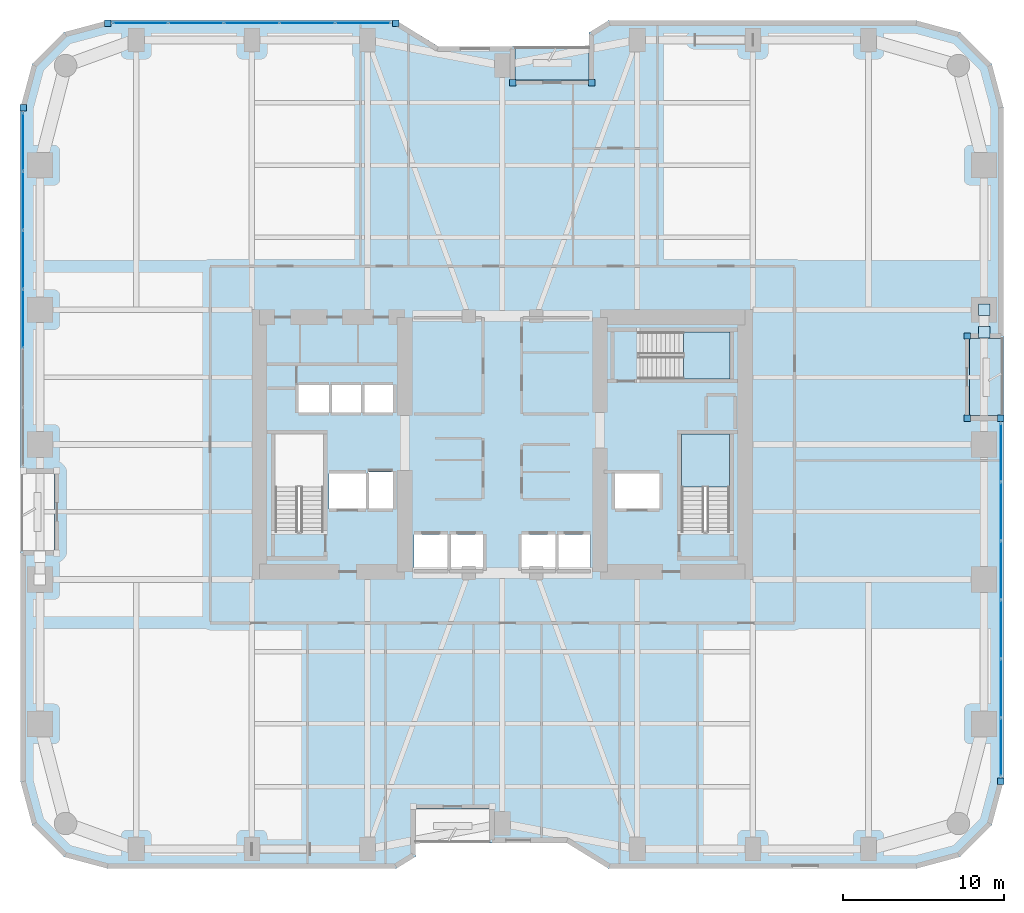
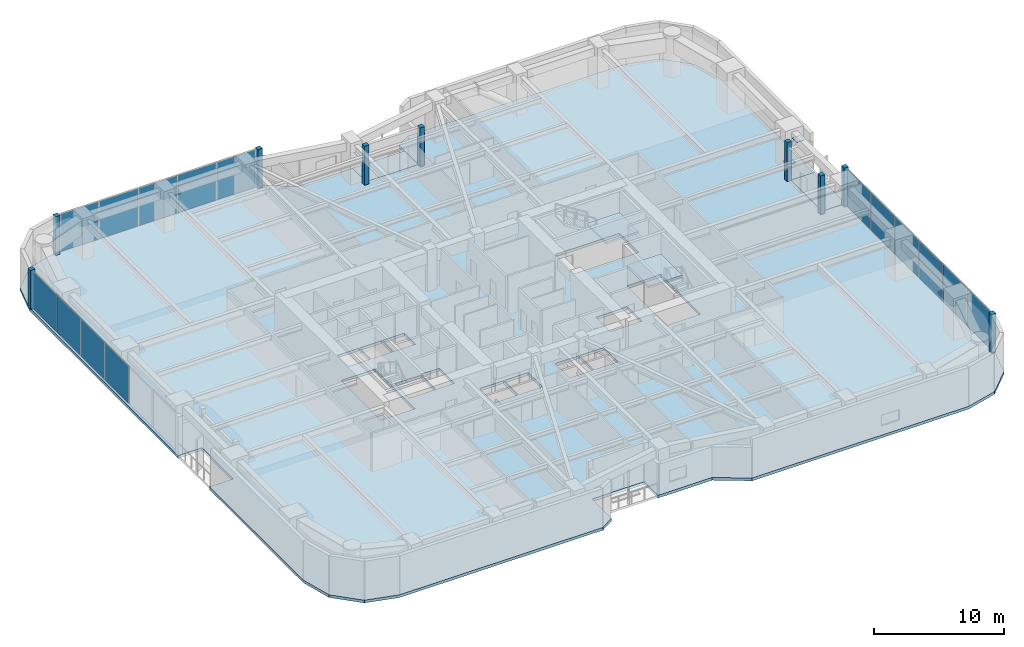
# One storey, part 20 of 29: 26 plates, 5 slabs, 5 elements without a shape of their own.
"""IFC4 building model written with IfcOpenShell, lengths in metres."""

from ifc_helpers import new_model, si_unit, direction, frame, origin, origin_2d, place, context, subcontext, project, spatial, polyline, rectangle, outline, extrude, material, layer, layer_set, type_object, element, aggregate, save


model = new_model("IFC4")

# Units and contexts
model_context = context("Model", 3, precision=1e-05, world=origin(), true_north=direction((0.0, 1.0)))
body_context = subcontext(model_context, "Body", "Model", "MODEL_VIEW")
ifc_project = project(units=[si_unit("LENGTHUNIT", "METRE"), si_unit("AREAUNIT", "SQUARE_METRE"), si_unit("VOLUMEUNIT", "CUBIC_METRE"), si_unit("PLANEANGLEUNIT", "RADIAN"), si_unit("MASSUNIT", "GRAM", prefix="KILO")], contexts=[model_context])

# Site, building, storey
site_placement = place(None, origin())
site = spatial("IfcSite", under=ifc_project, at=site_placement, CompositionType="ELEMENT")
building_placement = place(site_placement, origin())
building = spatial("IfcBuilding", under=site, at=building_placement, Name="Kiyonajd Concourse Tower", CompositionType="ELEMENT")
storey_placement = place(building_placement, frame((0.0, 0.0, 45.0)))
storey = spatial("IfcBuildingStorey", under=building, at=storey_placement, Name="L12", CompositionType="ELEMENT", Elevation=45.0)

# Plates
ifc_material_1 = material(Name="Steel ASTM A572 Grade 50", Category="steel")
ifc_layer_1 = layer(ifc_material_1, 0.028076171875)
ifc_layer_set_1 = layer_set([ifc_layer_1], Name="Steel ASTM A572 Grade 50")
plate_type_1 = type_object("IfcPlateType", Name="PL-CAP-450", PredefinedType="USERDEFINED", material=ifc_layer_set_1)
for number, where, z_axis, x_axis, name in (
    (1, (78.0, 44.40478515625, 0.27587890625), (0.0, 0.0, 1.0), (1.0, 0.0, 0.0), "L12 Hollow Brace End Cap Plate PBE"),
    (2, (78.0, 42.995361328125, 3.2861328125), (0.0, 0.0, 1.0), (1.0, 0.0, 0.0), "L12 Hollow Brace Top Cap Plate PBE"),
):
    element("IfcPlate", number, at=place(storey_placement, frame(where, z_axis=z_axis, x_axis=x_axis)), inside=storey, type_object=plate_type_1, Name=name, ObjectType="CAP PLATE", PredefinedType="USERDEFINED", context=body_context, shape_type="SweptSolid", body=[
        extrude(rectangle(XDim=0.7099609375, YDim=0.7099609375, at=origin_2d()), origin(), (0.0, 0.0, 1.0), 0.028076171875),
    ])

# Curtain wall, plates
ifc_material_2 = material(Name="Thermally Broken Anodised Aluminium", Category="aluminium")
ifc_layer_2 = layer(ifc_material_2, 0.179931640625)
ifc_layer_set_2 = layer_set([ifc_layer_2], Name="Thermally Broken Anodised Aluminium")
curtain_wall_type = type_object("IfcCurtainWallType", Name="CW-SYS-02", PredefinedType="NOTDEFINED", material=ifc_layer_set_2)
curtain_wall_1_placement = place(storey_placement, origin())
curtain_wall_1 = element("IfcCurtainWall", 3, at=curtain_wall_1_placement, inside=storey, type_object=curtain_wall_type, Name="L12 Unitised Curtain Wall CW2", PredefinedType="NOTDEFINED")
ifc_material_3 = material(Name="Double Low-E Insulated Glass", Category="glass")
ifc_layer_3 = layer(ifc_material_3, 0.028076171875)
ifc_layer_set_3 = layer_set([ifc_layer_3], Name="Double Low-E Insulated Glass")
plate_type_2 = type_object("IfcPlateType", Name="PL-CW-VIS28", PredefinedType="CURTAIN_PANEL", material=ifc_layer_set_3)
plate_1_placement = place(storey_placement, frame((18.159912109375, 43.832763671875, 0.06494140625), z_axis=(0.0, 0.0, 1.0), x_axis=(0.0, 1.0, 0.0)))
plate_1 = element("IfcPlate", 4, at=plate_1_placement, type_object=plate_type_2, Name="CW2 panel 3.1", PredefinedType="CURTAIN_PANEL", context=body_context, shape_type="SweptSolid", body=[
    extrude(rectangle(XDim=3.608154296875, YDim=0.028076171875, at=origin_2d()), origin(), (0.0, 0.0, 1.0), 3.510009765625),
])
plate_2_placement = place(storey_placement, frame((18.159912109375, 47.506103515625, 0.06494140625), z_axis=(0.0, 0.0, 1.0), x_axis=(0.0, 1.0, 0.0)))
plate_2 = element("IfcPlate", 5, at=plate_2_placement, type_object=plate_type_2, Name="CW2 panel 4.1", PredefinedType="CURTAIN_PANEL", context=body_context, shape_type="SweptSolid", body=[
    extrude(rectangle(XDim=3.608154296875, YDim=0.028076171875, at=origin_2d()), origin(), (0.0, 0.0, 1.0), 3.510009765625),
])
plate_3_placement = place(storey_placement, frame((18.159912109375, 51.17919921875, 0.06494140625), z_axis=(0.0, 0.0, 1.0), x_axis=(0.0, 1.0, 0.0)))
plate_3 = element("IfcPlate", 6, at=plate_3_placement, type_object=plate_type_2, Name="CW2 panel 5.1", PredefinedType="CURTAIN_PANEL", context=body_context, shape_type="SweptSolid", body=[
    extrude(rectangle(XDim=3.608154296875, YDim=0.028076171875, at=origin_2d()), origin(), (0.0, 0.0, 1.0), 3.510009765625),
])
plate_4_placement = place(storey_placement, frame((18.159912109375, 54.836181640625, 0.06494140625), z_axis=(0.0, 0.0, 1.0), x_axis=(0.0, 1.0, 0.0)))
plate_4 = element("IfcPlate", 7, at=plate_4_placement, type_object=plate_type_2, Name="CW2 panel 6.1", PredefinedType="CURTAIN_PANEL", context=body_context, shape_type="SweptSolid", body=[
    extrude(rectangle(XDim=3.57568359375, YDim=0.028076171875, at=origin_2d()), origin(), (0.0, 0.0, 1.0), 3.510009765625),
])
aggregate(curtain_wall_1, [plate_1, plate_2, plate_3, plate_4])

curtain_wall_2_placement = place(storey_placement, origin())
curtain_wall_2 = element("IfcCurtainWall", 8, at=curtain_wall_2_placement, inside=storey, type_object=curtain_wall_type, Name="L12 Unitised Curtain Wall CW2", PredefinedType="NOTDEFINED")
plate_5_placement = place(storey_placement, frame((25.462646484375, 62.239990234375, 0.06494140625), z_axis=(0.0, 0.0, 1.0), x_axis=(1.0, 0.0, 0.0)))
plate_5 = element("IfcPlate", 9, at=plate_5_placement, type_object=plate_type_2, Name="CW2 panel 1.1", PredefinedType="CURTAIN_PANEL", context=body_context, shape_type="SweptSolid", body=[
    extrude(rectangle(XDim=3.373291015625, YDim=0.028076171875, at=origin_2d()), origin(), (0.0, 0.0, 1.0), 3.510009765625),
])
plate_6_placement = place(storey_placement, frame((28.917236328125, 62.239990234375, 0.06494140625), z_axis=(0.0, 0.0, 1.0), x_axis=(1.0, 0.0, 0.0)))
plate_6 = element("IfcPlate", 10, at=plate_6_placement, type_object=plate_type_2, Name="CW2 panel 2.1", PredefinedType="CURTAIN_PANEL", context=body_context, shape_type="SweptSolid", body=[
    extrude(rectangle(XDim=3.40576171875, YDim=0.028076171875, at=origin_2d()), origin(), (0.0, 0.0, 1.0), 3.510009765625),
])
plate_7_placement = place(storey_placement, frame((32.387939453125, 62.239990234375, 0.06494140625), z_axis=(0.0, 0.0, 1.0), x_axis=(1.0, 0.0, 0.0)))
plate_7 = element("IfcPlate", 11, at=plate_7_placement, type_object=plate_type_2, Name="CW2 panel 3.1", PredefinedType="CURTAIN_PANEL", context=body_context, shape_type="SweptSolid", body=[
    extrude(rectangle(XDim=3.40576171875, YDim=0.028076171875, at=origin_2d()), origin(), (0.0, 0.0, 1.0), 3.510009765625),
])
plate_8_placement = place(storey_placement, frame((35.858642578125, 62.239990234375, 0.06494140625), z_axis=(0.0, 0.0, 1.0), x_axis=(1.0, 0.0, 0.0)))
plate_8 = element("IfcPlate", 12, at=plate_8_placement, type_object=plate_type_2, Name="CW2 panel 4.1", PredefinedType="CURTAIN_PANEL", context=body_context, shape_type="SweptSolid", body=[
    extrude(rectangle(XDim=3.40576171875, YDim=0.028076171875, at=origin_2d()), origin(), (0.0, 0.0, 1.0), 3.510009765625),
])
plate_9_placement = place(storey_placement, frame((39.31298828125, 62.239990234375, 0.06494140625), z_axis=(0.0, 0.0, 1.0), x_axis=(1.0, 0.0, 0.0)))
plate_9 = element("IfcPlate", 13, at=plate_9_placement, type_object=plate_type_2, Name="CW2 panel 5.1", PredefinedType="CURTAIN_PANEL", context=body_context, shape_type="SweptSolid", body=[
    extrude(rectangle(XDim=3.373291015625, YDim=0.028076171875, at=origin_2d()), origin(), (0.0, 0.0, 1.0), 3.510009765625),
])
aggregate(curtain_wall_2, [plate_5, plate_6, plate_7, plate_8, plate_9])

curtain_wall_3_placement = place(storey_placement, origin())
curtain_wall_3 = element("IfcCurtainWall", 14, at=curtain_wall_3_placement, inside=storey, type_object=curtain_wall_type, Name="L12 Unitised Curtain Wall CW2", PredefinedType="NOTDEFINED")
plate_10_placement = place(storey_placement, frame((79.0400390625, 35.4970703125, 0.06494140625), z_axis=(0.0, 0.0, 1.0), x_axis=(0.0, -1.0, 0.0)))
plate_10 = element("IfcPlate", 15, at=plate_10_placement, type_object=plate_type_2, Name="CW2 panel 1.1", PredefinedType="CURTAIN_PANEL", context=body_context, shape_type="SweptSolid", body=[
    extrude(rectangle(XDim=3.57568359375, YDim=0.028076171875, at=origin_2d()), origin(), (0.0, 0.0, 1.0), 3.510009765625),
])
plate_11_placement = place(storey_placement, frame((79.0400390625, 31.84033203125, 0.06494140625), z_axis=(0.0, 0.0, 1.0), x_axis=(0.0, -1.0, 0.0)))
plate_11 = element("IfcPlate", 16, at=plate_11_placement, type_object=plate_type_2, Name="CW2 panel 2.1", PredefinedType="CURTAIN_PANEL", context=body_context, shape_type="SweptSolid", body=[
    extrude(rectangle(XDim=3.608154296875, YDim=0.028076171875, at=origin_2d()), origin(), (0.0, 0.0, 1.0), 3.510009765625),
])
plate_12_placement = place(storey_placement, frame((79.0400390625, 28.167236328125, 0.06494140625), z_axis=(0.0, 0.0, 1.0), x_axis=(0.0, -1.0, 0.0)))
plate_12 = element("IfcPlate", 17, at=plate_12_placement, type_object=plate_type_2, Name="CW2 panel 3.1", PredefinedType="CURTAIN_PANEL", context=body_context, shape_type="SweptSolid", body=[
    extrude(rectangle(XDim=3.608154296875, YDim=0.028076171875, at=origin_2d()), origin(), (0.0, 0.0, 1.0), 3.510009765625),
])
plate_13_placement = place(storey_placement, frame((79.0400390625, 24.493896484375, 0.06494140625), z_axis=(0.0, 0.0, 1.0), x_axis=(0.0, -1.0, 0.0)))
plate_13 = element("IfcPlate", 18, at=plate_13_placement, type_object=plate_type_2, Name="CW2 panel 4.1", PredefinedType="CURTAIN_PANEL", context=body_context, shape_type="SweptSolid", body=[
    extrude(rectangle(XDim=3.608154296875, YDim=0.028076171875, at=origin_2d()), origin(), (0.0, 0.0, 1.0), 3.510009765625),
])
plate_14_placement = place(storey_placement, frame((79.0400390625, 20.82080078125, 0.06494140625), z_axis=(0.0, 0.0, 1.0), x_axis=(0.0, -1.0, 0.0)))
plate_14 = element("IfcPlate", 19, at=plate_14_placement, type_object=plate_type_2, Name="CW2 panel 5.1", PredefinedType="CURTAIN_PANEL", context=body_context, shape_type="SweptSolid", body=[
    extrude(rectangle(XDim=3.608154296875, YDim=0.028076171875, at=origin_2d()), origin(), (0.0, 0.0, 1.0), 3.510009765625),
])
plate_15_placement = place(storey_placement, frame((79.0400390625, 17.163818359375, 0.06494140625), z_axis=(0.0, 0.0, 1.0), x_axis=(0.0, -1.0, 0.0)))
plate_15 = element("IfcPlate", 20, at=plate_15_placement, type_object=plate_type_2, Name="CW2 panel 6.1", PredefinedType="CURTAIN_PANEL", context=body_context, shape_type="SweptSolid", body=[
    extrude(rectangle(XDim=3.57568359375, YDim=0.028076171875, at=origin_2d()), origin(), (0.0, 0.0, 1.0), 3.510009765625),
])
aggregate(curtain_wall_3, [plate_10, plate_11, plate_12, plate_13, plate_14, plate_15])

# Plates
ifc_layer_4 = layer(ifc_material_2, 0.39990234375)
ifc_layer_set_4 = layer_set([ifc_layer_4], Name="Thermally Broken Anodised Aluminium")
plate_type_3 = type_object("IfcPlateType", Name="PL-JMB-400", PredefinedType="USERDEFINED", material=ifc_layer_set_4)
for number, where, z_axis, x_axis, name in (
    (21, (18.159912109375, 56.97900390625, 0.0), (0.0, 0.0, 1.0), (1.0, 0.0, 0.0), "L12 Facade Jamb Closure Plate 04"),
    (22, (23.421142578125, 62.239990234375, 0.0), (0.0, 0.0, 1.0), (1.0, 0.0, 0.0), "L12 Facade Jamb Closure Plate 05"),
    (23, (41.354736328125, 62.239990234375, 0.0), (0.0, 0.0, 1.0), (1.0, 0.0, 0.0), "L12 Facade Jamb Closure Plate 06"),
    (24, (48.639892578125, 58.5400390625, 0.0), (0.0, 0.0, 1.0), (1.0, 0.0, 0.0), "L12 Facade Jamb Closure Plate 07"),
    (25, (53.56005859375, 58.5400390625, 0.0), (0.0, 0.0, 1.0), (1.0, 0.0, 0.0), "L12 Facade Jamb Closure Plate 08"),
    (26, (76.93994140625, 42.760009765625, 0.0), (0.0, 0.0, 1.0), (1.0, 0.0, 0.0), "L12 Facade Jamb Closure Plate 09"),
    (27, (76.93994140625, 37.639892578125, 0.0), (0.0, 0.0, 1.0), (1.0, 0.0, 0.0), "L12 Facade Jamb Closure Plate 10"),
    (28, (79.0400390625, 37.639892578125, 0.0), (0.0, 0.0, 1.0), (1.0, 0.0, 0.0), "L12 Facade Jamb Closure Plate 11"),
    (29, (79.0400390625, 15.02099609375, 0.0), (0.0, 0.0, 1.0), (1.0, 0.0, 0.0), "L12 Facade Jamb Closure Plate 12"),
):
    element("IfcPlate", number, at=place(storey_placement, frame(where, z_axis=z_axis, x_axis=x_axis)), inside=storey, type_object=plate_type_3, Name=name, ObjectType="JAMB PLATE", PredefinedType="USERDEFINED", context=body_context, shape_type="SweptSolid", body=[
        extrude(rectangle(XDim=0.39990234375, YDim=0.39990234375, at=origin_2d()), origin(), (0.0, 0.0, 1.0), 3.639892578125),
    ])

# Stair, slab
ifc_material_4 = material(Name="Concrete C40/50", Category="concrete")
stair_type = type_object("IfcStairType", Name="ST-DLG-22R", PredefinedType="HALF_TURN_STAIR", material=ifc_material_4)
stair_1_placement = place(storey_placement, origin())
stair_1 = element("IfcStair", 30, at=stair_1_placement, inside=storey, type_object=stair_type, Name="L12 Protected Exit Stair ST2", PredefinedType="HALF_TURN_STAIR")
ifc_layer_5 = layer(ifc_material_4, 0.199951171875)
ifc_layer_set_5 = layer_set([ifc_layer_5], Name="Concrete C40/50")
slab_type_1 = type_object("IfcSlabType", Name="SL-LND-200", PredefinedType="LANDING", material=ifc_layer_set_5)
slab_1_placement = place(storey_placement, frame((0.0, 0.0, 1.75)))
slab_1 = element("IfcSlab", 31, at=slab_1_placement, type_object=slab_type_1, Name="ST2 landing 1", PredefinedType="LANDING", context=body_context, shape_type="SweptSolid", body=[
    extrude(outline(polyline([(62.14990234375, 33.35009765625), (62.14990234375, 36.64990234375), (59.14990234375, 36.64990234375), (59.14990234375, 33.35009765625), (62.14990234375, 33.35009765625)])), origin(), (0.0, 0.0, 1.0), 0.199951171875),
])
aggregate(stair_1, [slab_1])

stair_2_placement = place(storey_placement, origin())
stair_2 = element("IfcStair", 32, at=stair_2_placement, inside=storey, type_object=stair_type, Name="L12 Protected Exit Stair ST3", PredefinedType="HALF_TURN_STAIR")
slab_2_placement = place(storey_placement, frame((0.0, 0.0, 1.75)))
slab_2 = element("IfcSlab", 33, at=slab_2_placement, type_object=slab_type_1, Name="ST3 landing 1", PredefinedType="LANDING", context=body_context, shape_type="SweptSolid", body=[
    extrude(outline(polyline([(59.280029296875, 40.080078125), (62.179931640625, 40.080078125), (62.179931640625, 43.02001953125), (59.280029296875, 43.02001953125), (59.280029296875, 40.080078125)])), origin(), (0.0, 0.0, 1.0), 0.199951171875),
])
aggregate(stair_2, [slab_2])

# Slabs
ifc_material_5 = material(Name="Precast concrete C50/60", Category="concrete")
ifc_layer_6 = layer(ifc_material_5, 0.199951171875)
ifc_layer_set_6 = layer_set([ifc_layer_6], Name="Precast concrete C50/60")
slab_type_2 = type_object("IfcSlabType", Name="SL-LOG-200", PredefinedType="FLOOR", material=ifc_layer_set_6)
slab_3_placement = place(storey_placement, frame((0.0, 0.0, -0.199951171875)))
element("IfcSlab", 34, at=slab_3_placement, inside=storey, type_object=slab_type_2, Name="L12 Recessed Engawa Loggia Terrace Slab LOG-N", PredefinedType="FLOOR", context=body_context, shape_type="SweptSolid", body=[
    extrude(outline(polyline([(48.800048828125, 58.699951171875), (53.39990234375, 58.699951171875), (53.39990234375, 60.800048828125), (48.800048828125, 60.800048828125), (48.800048828125, 58.699951171875)])), origin(), (0.0, 0.0, 1.0), 0.199951171875),
])
slab_4_placement = place(storey_placement, frame((0.0, 0.0, -0.199951171875)))
element("IfcSlab", 35, at=slab_4_placement, inside=storey, type_object=slab_type_2, Name="L12 Recessed Engawa Loggia Terrace Slab LOG-E", PredefinedType="FLOOR", context=body_context, shape_type="SweptSolid", body=[
    extrude(outline(polyline([(77.10009765625, 37.800048828125), (79.199951171875, 37.800048828125), (79.199951171875, 42.60009765625), (77.10009765625, 42.60009765625), (77.10009765625, 37.800048828125)])), origin(), (0.0, 0.0, 1.0), 0.199951171875),
])
ifc_layer_7 = layer(ifc_material_4, 0.260009765625)
ifc_layer_set_7 = layer_set([ifc_layer_7], Name="Concrete C40/50")
slab_type_3 = type_object("IfcSlabType", Name="SL-TWR-260", PredefinedType="FLOOR", material=ifc_layer_set_7)
slab_5_placement = place(storey_placement, frame((0.0, 0.0, -0.260009765625)))
element("IfcSlab", 36, at=slab_5_placement, inside=storey, type_object=slab_type_3, Name="L12 Tower Conditioned Floor Slab", PredefinedType="FLOOR", context=body_context, shape_type="SweptSolid", body=[
    extrude(outline(polyline([(18.722900390625, 12.300048828125), (18.0, 15.0), (18.0, 29.39990234375), (20.10009765625, 29.39990234375), (20.10009765625, 34.199951171875), (18.0, 34.199951171875), (18.0, 57.0), (18.722900390625, 59.699951171875), (20.699951171875, 61.677001953125), (23.39990234375, 62.39990234375), (41.39990234375, 62.39990234375), (44.0, 60.800048828125), (48.800048828125, 60.800048828125), (48.800048828125, 58.699951171875), (53.39990234375, 58.699951171875), (53.39990234375, 61.662109375), (54.60009765625, 62.39990234375), (73.800048828125, 62.39990234375), (76.5, 61.677001953125), (78.47705078125, 59.699951171875), (79.199951171875, 57.0), (79.199951171875, 42.60009765625), (77.10009765625, 42.60009765625), (77.10009765625, 37.800048828125), (79.199951171875, 37.800048828125), (79.199951171875, 15.0), (78.47705078125, 12.300048828125), (76.5, 10.322998046875), (73.800048828125, 9.60009765625), (54.60009765625, 9.60009765625), (52.0, 11.199951171875), (47.199951171875, 11.199951171875), (47.199951171875, 13.300048828125), (42.60009765625, 13.300048828125), (42.60009765625, 10.337890625), (41.39990234375, 9.60009765625), (23.39990234375, 9.60009765625), (20.699951171875, 10.322998046875), (18.722900390625, 12.300048828125)]), holes=[polyline([(44.60009765625, 28.199951171875), (42.5, 28.199951171875), (42.5, 30.39990234375), (44.60009765625, 30.39990234375), (44.60009765625, 28.199951171875)]), polyline([(37.199951171875, 32.0), (37.199951171875, 34.199951171875), (39.5, 34.199951171875), (39.5, 32.0), (37.199951171875, 32.0)]), polyline([(39.60009765625, 32.0), (39.60009765625, 34.300048828125), (41.199951171875, 34.300048828125), (41.199951171875, 32.0), (39.60009765625, 32.0)]), polyline([(36.85009765625, 30.550048828125), (33.85009765625, 30.550048828125), (33.85009765625, 36.64990234375), (36.85009765625, 36.64990234375), (36.85009765625, 30.550048828125)]), polyline([(35.300048828125, 38.0), (35.300048828125, 39.699951171875), (37.199951171875, 39.699951171875), (37.199951171875, 38.0), (35.300048828125, 38.0)]), polyline([(37.300048828125, 38.0), (37.300048828125, 39.699951171875), (39.199951171875, 39.699951171875), (39.199951171875, 38.0), (37.300048828125, 38.0)]), polyline([(41.199951171875, 38.0), (39.300048828125, 38.0), (39.300048828125, 39.699951171875), (41.199951171875, 39.699951171875), (41.199951171875, 38.0)]), polyline([(44.699951171875, 28.199951171875), (44.699951171875, 30.39990234375), (46.800048828125, 30.39990234375), (46.800048828125, 28.199951171875), (44.699951171875, 28.199951171875)]), polyline([(49.199951171875, 28.199951171875), (49.199951171875, 30.39990234375), (51.300048828125, 30.39990234375), (51.300048828125, 28.199951171875), (49.199951171875, 28.199951171875)]), polyline([(51.39990234375, 28.199951171875), (51.39990234375, 30.39990234375), (53.5, 30.39990234375), (53.5, 28.199951171875), (51.39990234375, 28.199951171875)]), polyline([(55.0, 32.0), (55.0, 34.199951171875), (57.800048828125, 34.199951171875), (57.800048828125, 32.0), (55.0, 32.0)]), polyline([(59.14990234375, 30.550048828125), (59.14990234375, 36.64990234375), (62.14990234375, 36.64990234375), (62.14990234375, 30.550048828125), (59.14990234375, 30.550048828125)]), polyline([(56.47998046875, 43.02001953125), (62.179931640625, 43.02001953125), (62.179931640625, 40.080078125), (56.47998046875, 40.080078125), (56.47998046875, 43.02001953125)])]), origin(), (0.0, 0.0, 1.0), 0.260009765625),
])

save(model, "model.ifc")
